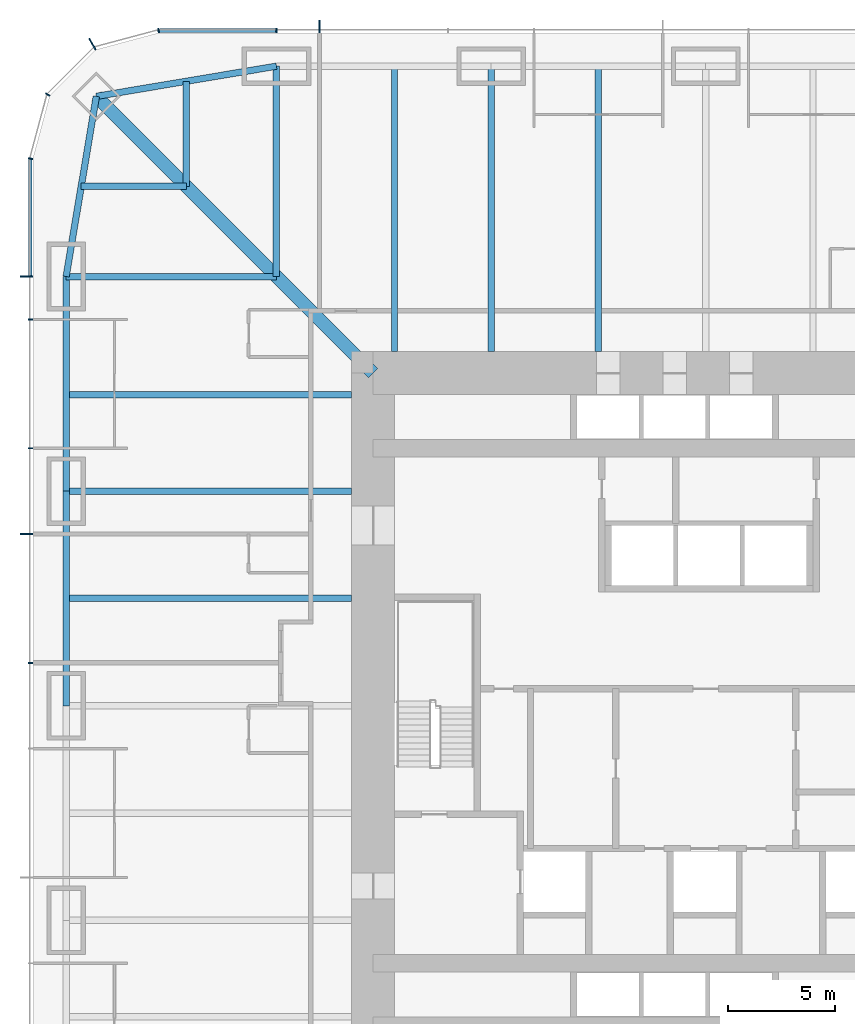
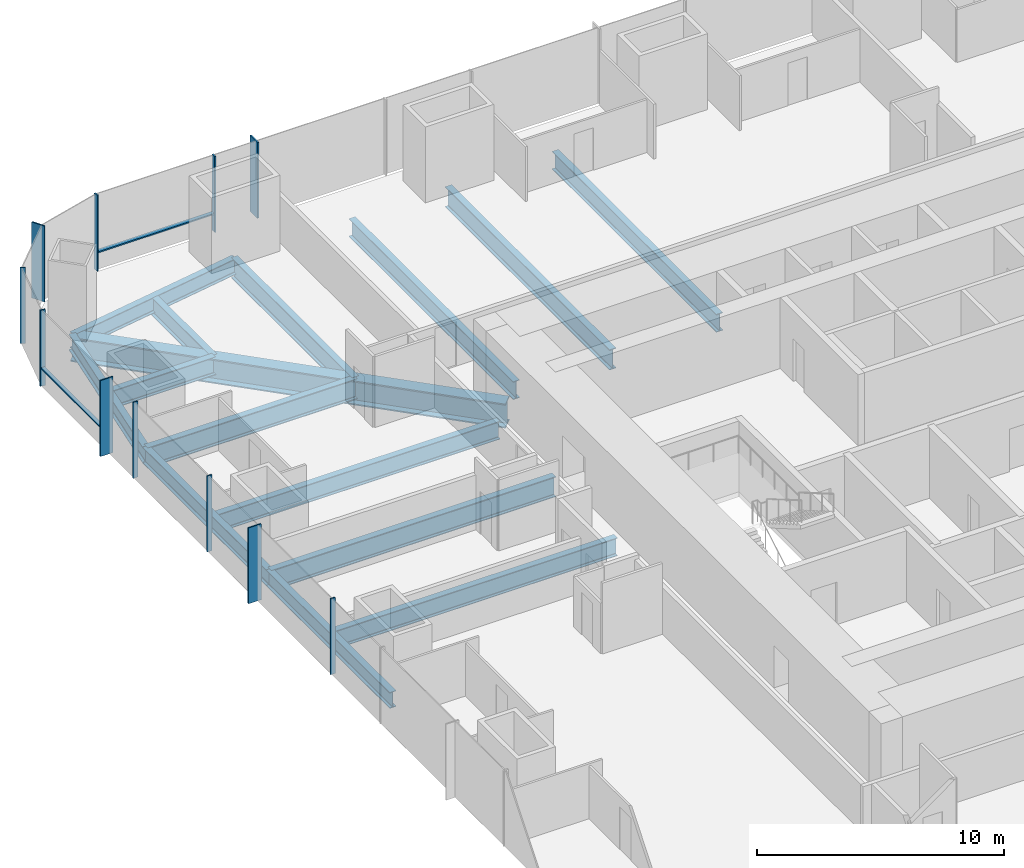
# One storey, part 6 of 16: 15 beams, 13 members, 3 elements without a shape of their own.
"""IFC4 building model written with IfcOpenShell, lengths in metres."""

from ifc_helpers import new_model, si_unit, direction, frame, origin, origin_2d, place, context, subcontext, project, spatial, rectangle, i_section, extrude, material, material_profile, profile_set, type_object, element, aggregate, save


model = new_model("IFC4")

# Units and contexts
model_context = context("Model", 3, precision=1e-05, world=origin(), true_north=direction((0.0, 1.0)))
body_context = subcontext(model_context, "Body", "Model", "MODEL_VIEW")
ifc_project = project(units=[si_unit("LENGTHUNIT", "METRE"), si_unit("AREAUNIT", "SQUARE_METRE"), si_unit("VOLUMEUNIT", "CUBIC_METRE"), si_unit("PLANEANGLEUNIT", "RADIAN"), si_unit("MASSUNIT", "GRAM", prefix="KILO")], contexts=[model_context])

# Site, building, storey
site_placement = place(None, origin())
site = spatial("IfcSite", under=ifc_project, at=site_placement, CompositionType="ELEMENT")
building_placement = place(site_placement, origin())
building = spatial("IfcBuilding", under=site, at=building_placement, Name="Khuree Lantern Residences", CompositionType="ELEMENT")
storey_placement = place(building_placement, frame((0.0, 0.0, 54.75)))
storey = spatial("IfcBuildingStorey", under=building, at=storey_placement, Name="L13", CompositionType="ELEMENT", Elevation=54.75)

# Beams
ifc_material_1 = material(Name="Steel S355", Category="steel")
ifc_material_profile_1 = material_profile(ifc_material_1, i_section(OverallWidth=0.300048828125, OverallDepth=0.889892578125, WebThickness=0.01611328125, FlangeThickness=0.030029296875, FilletRadius=0.030029296875, at=origin_2d()), Name="HE 900 A")
ifc_profile_set_1 = profile_set([ifc_material_profile_1], Name="Steel S355")
beam_type_1 = type_object("IfcBeamType", Name="B-13 SECONDARY BEAM HE 900 A", PredefinedType="BEAM", material=ifc_profile_set_1)
for number, where, z_axis, x_axis, name in (
    (1, (-14.5, 29.800048828125, -0.695068359375), (0.0, -1.0, 0.0), (1.0, 0.0, 0.0), "Secondary beam N1"),
    (2, (-5.0, 29.800048828125, -0.695068359375), (0.0, -1.0, 0.0), (1.0, 0.0, 0.0), "Secondary beam N2"),
    (3, (-29.800048828125, 5.0, -0.695068359375), (1.0, 0.0, 0.0), (0.0, 1.0, 0.0), "Secondary beam W4"),
    (4, (-29.800048828125, 14.5, -0.695068359375), (1.0, 0.0, 0.0), (0.0, 1.0, 0.0), "Secondary beam W5"),
):
    element("IfcBeam", number, at=place(storey_placement, frame(where, z_axis=z_axis, x_axis=x_axis)), inside=storey, type_object=beam_type_1, Name=name, PredefinedType="BEAM", context=body_context, shape_type="SweptSolid", body=[
        extrude(i_section(OverallWidth=0.300048828125, OverallDepth=0.889892578125, WebThickness=0.01611328125, FlangeThickness=0.030029296875, FilletRadius=0.030029296875, at=origin_2d()), origin(), (0.0, 0.0, 1.0), 13.300048828125),
    ])
for number, where, z_axis, x_axis, name in (
    (5, (-29.09716796875, 24.197021484375, -0.695068359375), (1.0, 0.0, 0.0), (0.0, 1.0, 0.0), "Secondary beam W6"),
    (6, (-24.197021484375, 29.09716796875, -0.695068359375), (0.0, -1.0, 0.0), (1.0, 0.0, 0.0), "Secondary beam N6"),
):
    element("IfcBeam", number, at=place(storey_placement, frame(where, z_axis=z_axis, x_axis=x_axis)), inside=storey, type_object=beam_type_1, Name=name, PredefinedType="BEAM", context=body_context, shape_type="SweptSolid", body=[
        extrude(i_section(OverallWidth=0.300048828125, OverallDepth=0.889892578125, WebThickness=0.01611328125, FlangeThickness=0.030029296875, FilletRadius=0.030029296875, at=origin_2d()), origin(), (0.0, 0.0, 1.0), 4.900146484375),
    ])
ifc_material_profile_2 = material_profile(ifc_material_1, i_section(OverallWidth=0.300048828125, OverallDepth=0.7900390625, WebThickness=0.014892578125, FlangeThickness=0.028076171875, FilletRadius=0.030029296875, at=origin_2d()), Name="HE 800 A")
ifc_profile_set_2 = profile_set([ifc_material_profile_2], Name="Steel S355")
beam_type_2 = type_object("IfcBeamType", Name="E-13 SPANDREL BEAM HE 800 A", PredefinedType="SPANDREL", material=ifc_profile_set_2)
for number, where, z_axis, x_axis, name in (
    (7, (-29.800048828125, 0.0, -0.64501953125), (0.0, 1.0, 0.0), (-1.0, 0.0, 0.0), "Spandrel beam W4"),
    (8, (-29.800048828125, 10.0, -0.64501953125), (0.0, 1.0, 0.0), (-1.0, 0.0, 0.0), "Spandrel beam W5"),
):
    element("IfcBeam", number, at=place(storey_placement, frame(where, z_axis=z_axis, x_axis=x_axis)), inside=storey, type_object=beam_type_2, Name=name, PredefinedType="SPANDREL", context=body_context, shape_type="SweptSolid", body=[
        extrude(i_section(OverallWidth=0.300048828125, OverallDepth=0.7900390625, WebThickness=0.014892578125, FlangeThickness=0.028076171875, FilletRadius=0.030029296875, at=origin_2d()), origin(), (0.0, 0.0, 1.0), 10.0),
    ])
for number, where, z_axis, x_axis, name in (
    (9, (-29.800048828125, 20.0, -0.64501953125), (0.165199022349, 0.986260251158, 0.0), (-0.986260251158, 0.165199022349, 0.0), "Spandrel beam W6"),
    (10, (-28.39404296875, 28.39404296875, -0.64501953125), (0.986260251158, 0.165199022349, 0.0), (-0.165199022349, 0.986260251158, 0.0), "Spandrel beam N6"),
):
    element("IfcBeam", number, at=place(storey_placement, frame(where, z_axis=z_axis, x_axis=x_axis)), inside=storey, type_object=beam_type_2, Name=name, PredefinedType="SPANDREL", context=body_context, shape_type="SweptSolid", body=[
        extrude(i_section(OverallWidth=0.300048828125, OverallDepth=0.7900390625, WebThickness=0.014892578125, FlangeThickness=0.028076171875, FilletRadius=0.030029296875, at=origin_2d()), origin(), (0.0, 0.0, 1.0), 8.510986328125),
    ])

# Curtain wall, member
ifc_material_2 = material(Name="Bronze anodised aluminium", Category="aluminium")
curtain_wall_type_1 = type_object("IfcCurtainWallType", Name="CW-T1 TOWER FACE CURTAIN WALL", PredefinedType="USERDEFINED", material=ifc_material_2)
curtain_wall_1_placement = place(storey_placement, origin())
curtain_wall_1 = element("IfcCurtainWall", 11, at=curtain_wall_1_placement, inside=storey, type_object=curtain_wall_type_1, Name="L13 NORTH FACE CURTAIN WALL", ObjectType="Stick-built curtain wall", PredefinedType="USERDEFINED")
ifc_material_profile_3 = material_profile(ifc_material_2, rectangle(XDim=0.06494140625, YDim=0.60009765625, at=origin_2d()), Name="F1 65X600")
ifc_profile_set_3 = profile_set([ifc_material_profile_3], Name="Bronze anodised aluminium")
member_type_1 = type_object("IfcMemberType", Name="F1 BRONZE FIN MULLION TOWER 65X600", PredefinedType="MULLION", material=ifc_profile_set_3)
member_1_placement = place(storey_placement, frame((-18.0, 31.64990234375, 0.0), z_axis=(0.0, 0.0, 1.0), x_axis=(-1.0, 0.0, 0.0)))
member_1 = element("IfcMember", 12, at=member_1_placement, type_object=member_type_1, Name="L13 NORTH FACE FIN MULLION 27", PredefinedType="MULLION", context=body_context, shape_type="SweptSolid", body=[
    extrude(rectangle(XDim=0.06494140625, YDim=0.60009765625, at=origin_2d()), origin(), (0.0, 0.0, 1.0), 3.75),
])

curtain_wall_type_2 = type_object("IfcCurtainWallType", Name="CW-T2 TOWER CORNER CURTAIN WALL", PredefinedType="USERDEFINED", material=ifc_material_2)
curtain_wall_2_placement = place(storey_placement, origin())
curtain_wall_2 = element("IfcCurtainWall", 13, at=curtain_wall_2_placement, inside=storey, type_object=curtain_wall_type_2, Name="L13 NORTH-WEST CORNER CURTAIN WALL", ObjectType="Faceted corner curtain wall", PredefinedType="USERDEFINED")
member_2_placement = place(storey_placement, frame((-28.574951171875, 30.826171875, 0.0), z_axis=(0.0, 0.0, 1.0), x_axis=(-0.86602537092, -0.500000056923, 0.0)))
member_2 = element("IfcMember", 14, at=member_2_placement, type_object=member_type_1, Name="L13 NORTH-WEST CORNER FIN MULLION 30", PredefinedType="MULLION", context=body_context, shape_type="SweptSolid", body=[
    extrude(rectangle(XDim=0.06494140625, YDim=0.60009765625, at=origin_2d()), origin(), (0.0, 0.0, 1.0), 3.75),
])

# Curtain wall, members
curtain_wall_3_placement = place(storey_placement, origin())
curtain_wall_3 = element("IfcCurtainWall", 15, at=curtain_wall_3_placement, inside=storey, type_object=curtain_wall_type_1, Name="L13 WEST FACE CURTAIN WALL", ObjectType="Stick-built curtain wall", PredefinedType="USERDEFINED")
member_3_placement = place(storey_placement, frame((-31.64990234375, 20.0, 0.0), z_axis=(0.0, 0.0, 1.0), x_axis=(0.0, -1.0, 0.0)))
member_3 = element("IfcMember", 16, at=member_3_placement, type_object=member_type_1, Name="L13 WEST FACE FIN MULLION 33", PredefinedType="MULLION", context=body_context, shape_type="SweptSolid", body=[
    extrude(rectangle(XDim=0.06494140625, YDim=0.60009765625, at=origin_2d()), origin(), (0.0, 0.0, 1.0), 3.75),
])
member_4_placement = place(storey_placement, frame((-31.64990234375, 8.0, 0.0), z_axis=(0.0, 0.0, 1.0), x_axis=(0.0, -1.0, 0.0)))
member_4 = element("IfcMember", 17, at=member_4_placement, type_object=member_type_1, Name="L13 WEST FACE FIN MULLION 36", PredefinedType="MULLION", context=body_context, shape_type="SweptSolid", body=[
    extrude(rectangle(XDim=0.06494140625, YDim=0.60009765625, at=origin_2d()), origin(), (0.0, 0.0, 1.0), 3.75),
])

# Beams
ifc_material_profile_4 = material_profile(ifc_material_1, i_section(OverallWidth=0.302001953125, OverallDepth=1.008056640625, WebThickness=0.02099609375, FlangeThickness=0.0400390625, FilletRadius=0.030029296875, at=origin_2d()), Name="HE 1000 M")
ifc_profile_set_4 = profile_set([ifc_material_profile_4], Name="Steel S355")
beam_type_3 = type_object("IfcBeamType", Name="G-13 GIRDER HE 1000 M", PredefinedType="BEAM", material=ifc_profile_set_4)
beam_1_placement = place(storey_placement, frame((-20.0, 29.800048828125, -0.75390625), z_axis=(0.0, -1.0, 0.0), x_axis=(1.0, 0.0, 0.0)))
element("IfcBeam", 18, at=beam_1_placement, inside=storey, type_object=beam_type_3, Name="Girder N1", PredefinedType="BEAM", context=body_context, shape_type="SweptSolid", body=[
    extrude(i_section(OverallWidth=0.302001953125, OverallDepth=1.008056640625, WebThickness=0.02099609375, FlangeThickness=0.0400390625, FilletRadius=0.030029296875, at=origin_2d()), origin(), (0.0, 0.0, 1.0), 9.800048828125),
])
for number, where, z_axis, x_axis, name in (
    (19, (-10.0, 29.800048828125, -0.75390625), (0.0, -1.0, 0.0), (1.0, 0.0, 0.0), "Girder N2"),
    (20, (-29.800048828125, 10.0, -0.75390625), (1.0, 0.0, 0.0), (0.0, 1.0, 0.0), "Girder W4"),
):
    element("IfcBeam", number, at=place(storey_placement, frame(where, z_axis=z_axis, x_axis=x_axis)), inside=storey, type_object=beam_type_3, Name=name, PredefinedType="BEAM", context=body_context, shape_type="SweptSolid", body=[
        extrude(i_section(OverallWidth=0.302001953125, OverallDepth=1.008056640625, WebThickness=0.02099609375, FlangeThickness=0.0400390625, FilletRadius=0.030029296875, at=origin_2d()), origin(), (0.0, 0.0, 1.0), 13.300048828125),
    ])
beam_2_placement = place(storey_placement, frame((-29.800048828125, 20.0, -0.75390625), z_axis=(1.0, 0.0, 0.0), x_axis=(0.0, 1.0, 0.0)))
element("IfcBeam", 21, at=beam_2_placement, inside=storey, type_object=beam_type_3, Name="Girder W5", PredefinedType="BEAM", context=body_context, shape_type="SweptSolid", body=[
    extrude(i_section(OverallWidth=0.302001953125, OverallDepth=1.008056640625, WebThickness=0.02099609375, FlangeThickness=0.0400390625, FilletRadius=0.030029296875, at=origin_2d()), origin(), (0.0, 0.0, 1.0), 9.800048828125),
])
ifc_material_profile_5 = material_profile(ifc_material_1, i_section(OverallWidth=0.60009765625, OverallDepth=1.199951171875, WebThickness=0.030029296875, FlangeThickness=0.06005859375, at=origin_2d()), Name="WELDED I 1200X600X30X60")
ifc_profile_set_5 = profile_set([ifc_material_profile_5], Name="Steel S355")
beam_type_4 = type_object("IfcBeamType", Name="GD-13 CORNER GIRDER WELDED I 1200X600X30X60", PredefinedType="BEAM", material=ifc_profile_set_5)
beam_3_placement = place(storey_placement, frame((-28.39404296875, 28.39404296875, -0.85009765625), z_axis=(0.707106781187, -0.707106781187, 0.0), x_axis=(0.707106781187, 0.707106781187, 0.0)))
element("IfcBeam", 22, at=beam_3_placement, inside=storey, type_object=beam_type_4, Name="Corner girder NW", PredefinedType="BEAM", context=body_context, shape_type="SweptSolid", body=[
    extrude(i_section(OverallWidth=0.60009765625, OverallDepth=1.199951171875, WebThickness=0.030029296875, FlangeThickness=0.06005859375, at=origin_2d()), origin(), (0.0, 0.0, 1.0), 18.23486328125),
])

# Member
ifc_material_profile_6 = material_profile(ifc_material_2, rectangle(XDim=0.06494140625, YDim=0.219970703125, at=origin_2d()), Name="M1 65X220")
ifc_profile_set_6 = profile_set([ifc_material_profile_6], Name="Bronze anodised aluminium")
member_type_2 = type_object("IfcMemberType", Name="M1 BRONZE MULLION TOWER 65X220", PredefinedType="MULLION", material=ifc_profile_set_6)
member_5_placement = place(storey_placement, frame((-20.0, 31.4599609375, 0.0), z_axis=(0.0, 0.0, 1.0), x_axis=(-1.0, 0.0, 0.0)))
member_5 = element("IfcMember", 23, at=member_5_placement, type_object=member_type_2, Name="L13 NORTH FACE MULLION 28", PredefinedType="MULLION", context=body_context, shape_type="SweptSolid", body=[
    extrude(rectangle(XDim=0.06494140625, YDim=0.219970703125, at=origin_2d()), origin(), (0.0, 0.0, 1.0), 3.75),
])

member_6_placement = place(storey_placement, frame((-25.494873046875, 31.461669921875, 0.0), z_axis=(0.0, 0.0, 1.0), x_axis=(-0.991444852794, -0.130526257387, 0.0)))
member_6 = element("IfcMember", 24, at=member_6_placement, type_object=member_type_2, Name="L13 NORTH-WEST CORNER MULLION 29", PredefinedType="MULLION", context=body_context, shape_type="SweptSolid", body=[
    extrude(rectangle(XDim=0.06494140625, YDim=0.219970703125, at=origin_2d()), origin(), (0.0, 0.0, 1.0), 3.75),
])

member_7_placement = place(storey_placement, frame((-30.66162109375, 28.47998046875, 0.0), z_axis=(0.0, 0.0, 1.0), x_axis=(-0.500000056923, -0.86602537092, 0.0)))
member_7 = element("IfcMember", 25, at=member_7_placement, type_object=member_type_2, Name="L13 NORTH-WEST CORNER MULLION 31", PredefinedType="MULLION", context=body_context, shape_type="SweptSolid", body=[
    extrude(rectangle(XDim=0.06494140625, YDim=0.219970703125, at=origin_2d()), origin(), (0.0, 0.0, 1.0), 3.75),
])

aggregate(curtain_wall_2, [member_6, member_2, member_7])

member_8_placement = place(storey_placement, frame((-31.461669921875, 25.494873046875, 0.0), z_axis=(0.0, 0.0, 1.0), x_axis=(-0.130526257387, -0.991444852794, 0.0)))
member_8 = element("IfcMember", 26, at=member_8_placement, type_object=member_type_2, Name="L13 WEST FACE MULLION 32", PredefinedType="MULLION", context=body_context, shape_type="SweptSolid", body=[
    extrude(rectangle(XDim=0.06494140625, YDim=0.219970703125, at=origin_2d()), origin(), (0.0, 0.0, 1.0), 3.75),
])

member_9_placement = place(storey_placement, frame((-31.4599609375, 18.0, 0.0), z_axis=(0.0, 0.0, 1.0), x_axis=(0.0, -1.0, 0.0)))
member_9 = element("IfcMember", 27, at=member_9_placement, type_object=member_type_2, Name="L13 WEST FACE MULLION 34", PredefinedType="MULLION", context=body_context, shape_type="SweptSolid", body=[
    extrude(rectangle(XDim=0.06494140625, YDim=0.219970703125, at=origin_2d()), origin(), (0.0, 0.0, 1.0), 3.75),
])

member_10_placement = place(storey_placement, frame((-31.4599609375, 12.0, 0.0), z_axis=(0.0, 0.0, 1.0), x_axis=(0.0, -1.0, 0.0)))
member_10 = element("IfcMember", 28, at=member_10_placement, type_object=member_type_2, Name="L13 WEST FACE MULLION 35", PredefinedType="MULLION", context=body_context, shape_type="SweptSolid", body=[
    extrude(rectangle(XDim=0.06494140625, YDim=0.219970703125, at=origin_2d()), origin(), (0.0, 0.0, 1.0), 3.75),
])

member_11_placement = place(storey_placement, frame((-31.4599609375, 2.0, 0.0), z_axis=(0.0, 0.0, 1.0), x_axis=(0.0, -1.0, 0.0)))
member_11 = element("IfcMember", 29, at=member_11_placement, type_object=member_type_2, Name="L13 WEST FACE MULLION 37", PredefinedType="MULLION", context=body_context, shape_type="SweptSolid", body=[
    extrude(rectangle(XDim=0.06494140625, YDim=0.219970703125, at=origin_2d()), origin(), (0.0, 0.0, 1.0), 3.75),
])

ifc_material_profile_7 = material_profile(ifc_material_2, rectangle(XDim=0.179931640625, YDim=0.06494140625, at=origin_2d()), Name="T1 180X65")
ifc_profile_set_7 = profile_set([ifc_material_profile_7], Name="Bronze anodised aluminium")
member_type_3 = type_object("IfcMemberType", Name="TRANSOM T1 TOWER 180X65", PredefinedType="USERDEFINED", material=ifc_profile_set_7)
member_12_placement = place(storey_placement, frame((-20.032470703125, 31.469970703125, 0.89990234375), z_axis=(-1.0, 0.0, 0.0), x_axis=(0.0, -1.0, 0.0)))
member_12 = element("IfcMember", 30, at=member_12_placement, type_object=member_type_3, Name="L13 NORTH FACE TRANSOM 28.1", ObjectType="Transom", PredefinedType="USERDEFINED", context=body_context, shape_type="SweptSolid", body=[
    extrude(rectangle(XDim=0.179931640625, YDim=0.06494140625, at=origin_2d()), origin(), (0.0, 0.0, 1.0), 5.4189453125),
])

aggregate(curtain_wall_1, [member_1, member_5, member_12])

member_13_placement = place(storey_placement, frame((-31.469970703125, 25.451416015625, 0.89990234375), z_axis=(0.0, -1.0, 0.0), x_axis=(1.0, 0.0, 0.0)))
member_13 = element("IfcMember", 31, at=member_13_placement, type_object=member_type_3, Name="L13 WEST FACE TRANSOM 32.1", ObjectType="Transom", PredefinedType="USERDEFINED", context=body_context, shape_type="SweptSolid", body=[
    extrude(rectangle(XDim=0.179931640625, YDim=0.06494140625, at=origin_2d()), origin(), (0.0, 0.0, 1.0), 5.4189453125),
])

aggregate(curtain_wall_3, [member_8, member_3, member_9, member_10, member_4, member_11, member_13])

save(model, "model.ifc")
